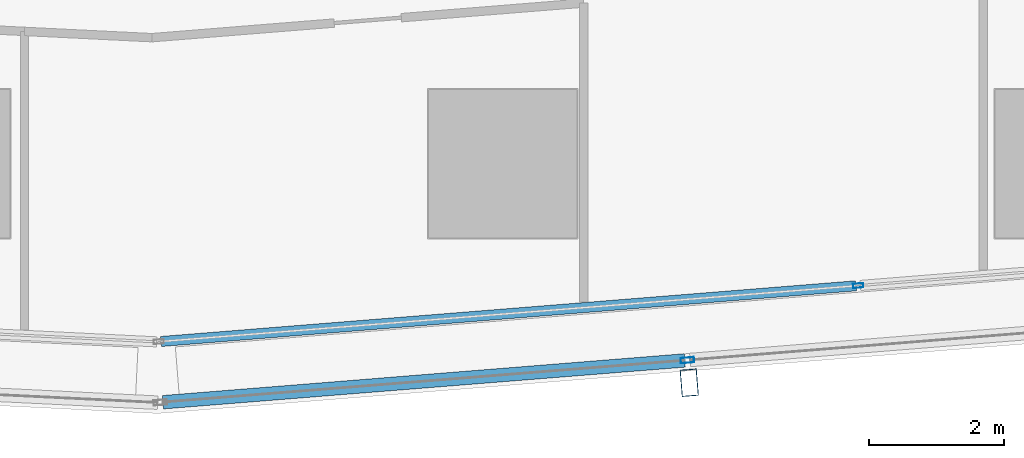
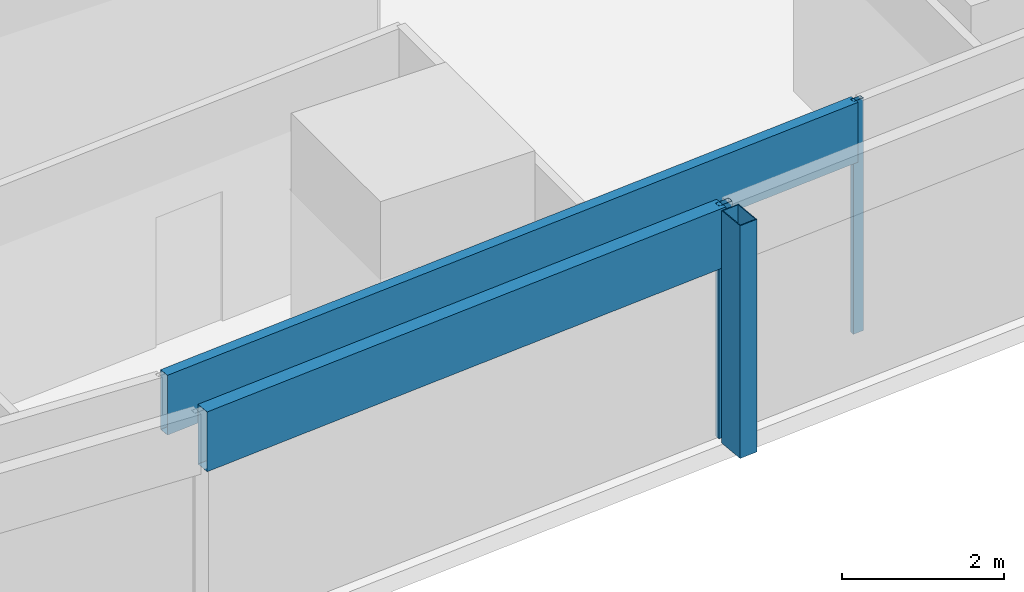
# One storey, part 10 of 45: 5 members, 2 elements without a shape of their own.
"""IFC4 building model written with IfcOpenShell, lengths in metres."""

from ifc_helpers import new_model, si_unit, direction, frame, origin, origin_2d, place, context, subcontext, project, spatial, hollow_rectangle, extrude, material, material_profile, profile_set, type_object, element, aggregate, save


model = new_model("IFC4")

# Units and contexts
model_context = context("Model", 3, precision=1e-05, world=origin(), true_north=direction((0.0, 1.0)))
body_context = subcontext(model_context, "Body", "Model", "MODEL_VIEW")
ifc_project = project(units=[si_unit("LENGTHUNIT", "METRE"), si_unit("AREAUNIT", "SQUARE_METRE"), si_unit("VOLUMEUNIT", "CUBIC_METRE"), si_unit("PLANEANGLEUNIT", "RADIAN"), si_unit("MASSUNIT", "GRAM", prefix="KILO")], contexts=[model_context])

# Site, building, storey
site_placement = place(None, origin())
site = spatial("IfcSite", under=ifc_project, at=site_placement, CompositionType="ELEMENT")
building_placement = place(site_placement, origin())
building = spatial("IfcBuilding", under=site, at=building_placement, Name="Rekha Terrace Tower", CompositionType="ELEMENT")
storey_placement = place(building_placement, frame((0.0, 0.0, 32.89990234375)))
storey = spatial("IfcBuildingStorey", under=building, at=storey_placement, Name="L07", CompositionType="ELEMENT", Elevation=32.89990234375)

# Curtain wall, member
ifc_material_1 = material(Name="Aluminium framing", Category="aluminium")
curtain_wall_type_1 = type_object("IfcCurtainWallType", Name="CW2 double skin outer glazing", PredefinedType="USERDEFINED", material=ifc_material_1)
curtain_wall_1_placement = place(storey_placement, origin())
curtain_wall_1 = element("IfcCurtainWall", 1, at=curtain_wall_1_placement, inside=storey, type_object=curtain_wall_type_1, Name="CW2 double skin outer glazing", ObjectType="DOUBLE SKIN OUTER GLAZING", PredefinedType="USERDEFINED")
ifc_material_2 = material(Name="Steel S355 with fluorocarbon finish", Category="steel")
ifc_material_profile_1 = material_profile(ifc_material_2, hollow_rectangle(XDim=0.25, YDim=0.39990234375, WallThickness=0.012451171875, at=origin_2d()), Name="RHS400x250x12.5")
ifc_profile_set_1 = profile_set([ifc_material_profile_1], Name="Steel S355 with fluorocarbon finish")
member_type_1 = type_object("IfcMemberType", Name="BL1 facade blade RHS 400 x 250", PredefinedType="USERDEFINED", material=ifc_profile_set_1)
member_1_placement = place(storey_placement, frame((53.16748046875, 5.15576171875, 0.0), z_axis=(0.0, 0.0, 1.0), x_axis=(0.996805139821, 0.079871855039, 0.0)))
member_1 = element("IfcMember", 2, at=member_1_placement, type_object=member_type_1, Name="Facade blade", ObjectType="FACADE BLADE", PredefinedType="USERDEFINED", context=body_context, shape_type="SweptSolid", body=[
    extrude(hollow_rectangle(XDim=0.25, YDim=0.39990234375, WallThickness=0.012451171875, at=origin_2d()), origin(), (0.0, 0.0, 1.0), 3.5),
])

# Curtain wall, members
curtain_wall_type_2 = type_object("IfcCurtainWallType", Name="CW1 double skin inner glazing", PredefinedType="USERDEFINED", material=ifc_material_1)
curtain_wall_2_placement = place(storey_placement, origin())
curtain_wall_2 = element("IfcCurtainWall", 3, at=curtain_wall_2_placement, inside=storey, type_object=curtain_wall_type_2, Name="CW1 double skin inner glazing", ObjectType="DOUBLE SKIN INNER GLAZING", PredefinedType="USERDEFINED")
ifc_material_3 = material(Name="Aluminium mullion section", Category="aluminium")
ifc_material_profile_2 = material_profile(ifc_material_3, hollow_rectangle(XDim=0.06494140625, YDim=0.14990234375, WallThickness=0.00390625, at=origin_2d()), Name="AL RHS 65x150")
ifc_profile_set_2 = profile_set([ifc_material_profile_2], Name="Aluminium mullion section")
member_type_2 = type_object("IfcMemberType", Name="CW1 mullion RHS 65 x 150", PredefinedType="MULLION", material=ifc_profile_set_2)
member_2_placement = place(storey_placement, frame((55.672119140625, 6.595458984375, 0.0), z_axis=(0.0, 0.0, 1.0), x_axis=(-0.079872204468, 0.996805111821, 0.0)))
member_2 = element("IfcMember", 4, at=member_2_placement, type_object=member_type_2, Name="CW1 mullion 2", PredefinedType="MULLION", context=body_context, shape_type="SweptSolid", body=[
    extrude(hollow_rectangle(XDim=0.06494140625, YDim=0.14990234375, WallThickness=0.00390625, at=origin_2d()), origin(), (0.0, 0.0, 1.0), 3.5),
])
ifc_material_4 = material(Name="Insulated aluminium spandrel box", Category="aluminium")
ifc_material_profile_3 = material_profile(ifc_material_4, hollow_rectangle(XDim=0.14990234375, YDim=0.89990234375, WallThickness=0.0029296875, at=origin_2d()), Name="AL SPANDREL BOX 150x900")
ifc_profile_set_3 = profile_set([ifc_material_profile_3], Name="Insulated aluminium spandrel box")
member_type_3 = type_object("IfcMemberType", Name="CW1 spandrel transom 150 x 900", PredefinedType="USERDEFINED", material=ifc_profile_set_3)
member_3_placement = place(storey_placement, frame((45.33642578125, 5.767333984375, 3.050048828125), z_axis=(0.996806184606, 0.079858814989, 0.0), x_axis=(-0.079858814989, 0.996806184606, 0.0)))
member_3 = element("IfcMember", 5, at=member_3_placement, type_object=member_type_3, Name="CW1 spandrel transom 1", ObjectType="TRANSOM", PredefinedType="USERDEFINED", context=body_context, shape_type="SweptSolid", body=[
    extrude(hollow_rectangle(XDim=0.14990234375, YDim=0.89990234375, WallThickness=0.0029296875, at=origin_2d()), origin(), (0.0, 0.0, 1.0), 10.336181640625),
])
aggregate(curtain_wall_2, [member_2, member_3])

# Member
ifc_material_profile_4 = material_profile(ifc_material_3, hollow_rectangle(XDim=0.080078125, YDim=0.199951171875, WallThickness=0.00390625, at=origin_2d()), Name="AL RHS 80x200")
ifc_profile_set_4 = profile_set([ifc_material_profile_4], Name="Aluminium mullion section")
member_type_4 = type_object("IfcMemberType", Name="CW2 mullion RHS 80 x 200", PredefinedType="MULLION", material=ifc_profile_set_4)
member_4_placement = place(storey_placement, frame((53.140869140625, 5.48974609375, 0.0), z_axis=(0.0, 0.0, 1.0), x_axis=(-0.079872204468, 0.996805111821, 0.0)))
member_4 = element("IfcMember", 6, at=member_4_placement, type_object=member_type_4, Name="CW2 mullion 2", PredefinedType="MULLION", context=body_context, shape_type="SweptSolid", body=[
    extrude(hollow_rectangle(XDim=0.080078125, YDim=0.199951171875, WallThickness=0.00390625, at=origin_2d()), origin(), (0.0, 0.0, 1.0), 3.5),
])

ifc_material_profile_5 = material_profile(ifc_material_4, hollow_rectangle(XDim=0.199951171875, YDim=0.89990234375, WallThickness=0.0029296875, at=origin_2d()), Name="AL SPANDREL BOX 200x900")
ifc_profile_set_5 = profile_set([ifc_material_profile_5], Name="Insulated aluminium spandrel box")
member_type_5 = type_object("IfcMemberType", Name="CW2 spandrel transom 200 x 900", PredefinedType="USERDEFINED", material=ifc_profile_set_5)
member_5_placement = place(storey_placement, frame((45.365234375, 4.86669921875, 3.050048828125), z_axis=(0.996804766607, 0.079876512622, 0.0), x_axis=(-0.079876512622, 0.996804766607, 0.0)))
member_5 = element("IfcMember", 7, at=member_5_placement, type_object=member_type_5, Name="CW2 spandrel transom 1", ObjectType="TRANSOM", PredefinedType="USERDEFINED", context=body_context, shape_type="SweptSolid", body=[
    extrude(hollow_rectangle(XDim=0.199951171875, YDim=0.89990234375, WallThickness=0.0029296875, at=origin_2d()), origin(), (0.0, 0.0, 1.0), 7.760498046875),
])

aggregate(curtain_wall_1, [member_4, member_5, member_1])

save(model, "model.ifc")
